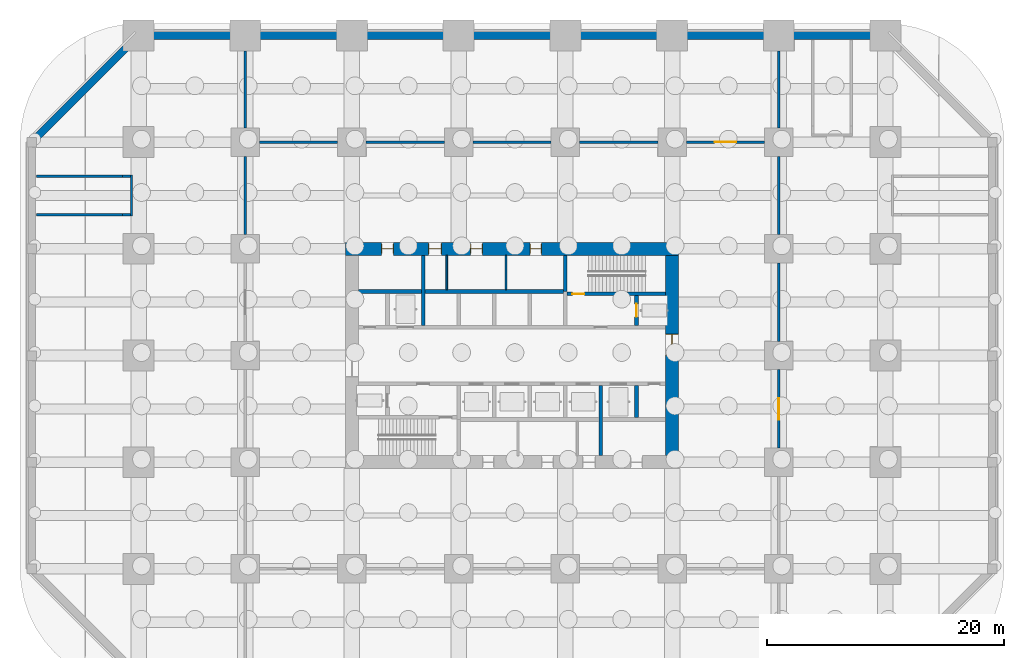
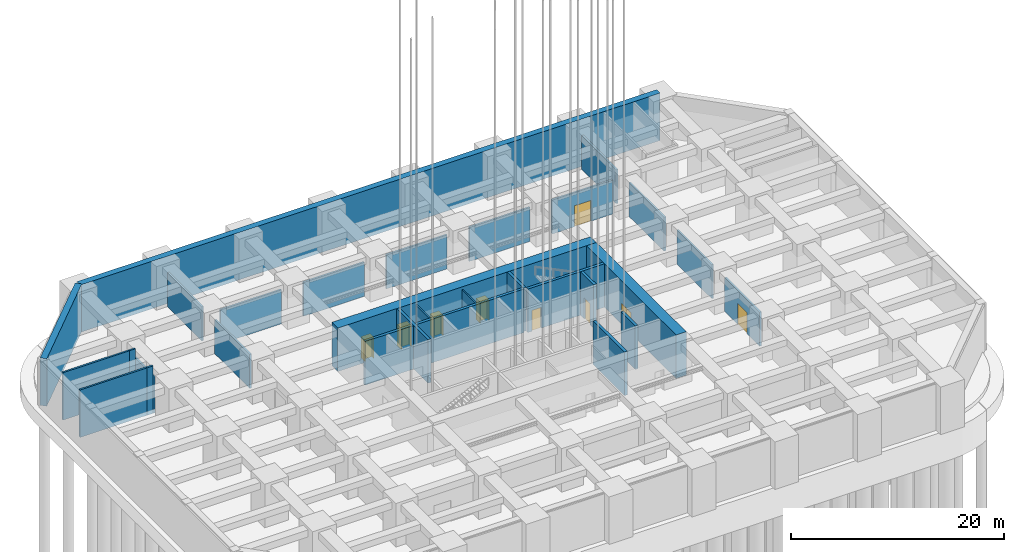
# One storey, part 5 of 24: 29 walls, 9 doors, 9 openings.
"""IFC4 building model written with IfcOpenShell, lengths in metres."""

from ifc_helpers import new_model, si_unit, direction, frame, frame_2d, origin, place, context, subcontext, project, spatial, rectangle, extrude, material, layer, layer_set, type_object, element, fill, save


model = new_model("IFC4")

# Units and contexts
model_context = context("Model", 3, precision=1e-05, world=origin(), true_north=direction((0.0, 1.0)))
body_context = subcontext(model_context, "Body", "Model", "MODEL_VIEW")
ifc_project = project(units=[si_unit("LENGTHUNIT", "METRE"), si_unit("AREAUNIT", "SQUARE_METRE"), si_unit("VOLUMEUNIT", "CUBIC_METRE"), si_unit("PLANEANGLEUNIT", "RADIAN"), si_unit("MASSUNIT", "GRAM", prefix="KILO")], contexts=[model_context])

# Site, building, storey
site_placement = place(None, origin())
site = spatial("IfcSite", under=ifc_project, at=site_placement, CompositionType="ELEMENT")
building_placement = place(site_placement, origin())
building = spatial("IfcBuilding", under=site, at=building_placement, Name="Zorevar Civic Tower", CompositionType="ELEMENT")
storey_placement = place(building_placement, frame((0.0, 0.0, -5.0)))
storey = spatial("IfcBuildingStorey", under=building, at=storey_placement, Name="B1", CompositionType="ELEMENT", Elevation=-5.0)

# Walls
ifc_material_1 = material(Name="Concrete blockwork", Category="masonry")
ifc_layer_1 = layer(ifc_material_1, 0.199951171875)
ifc_layer_set_1 = layer_set([ifc_layer_1], Name="Blockwork wall 200")
wall_type_1 = type_object("IfcWallType", Name="Blockwork wall 200", PredefinedType="SOLIDWALL", material=ifc_layer_set_1)
wall_1_placement = place(storey_placement, frame((9.0, 37.199951171875, 0.0), z_axis=(0.0, 0.0, 1.0), x_axis=(0.0, 1.0, 0.0)))
element("IfcWall", 1, at=wall_1_placement, inside=storey, type_object=wall_type_1, Name="Blockwork wall 200 B1", PredefinedType="SOLIDWALL", context=body_context, shape_type="SweptSolid", body=[
    extrude(rectangle(XDim=6.60009765625, YDim=0.199951171875, at=frame_2d((3.300048828125, 0.0))), origin(), (0.0, 0.0, 1.0), 3.89990234375),
])
wall_2_placement = place(storey_placement, frame((9.0, 46.199951171875, 0.0), z_axis=(0.0, 0.0, 1.0), x_axis=(0.0, 1.0, 0.0)))
element("IfcWall", 2, at=wall_2_placement, inside=storey, type_object=wall_type_1, Name="Blockwork wall 200 B1", PredefinedType="SOLIDWALL", context=body_context, shape_type="SweptSolid", body=[
    extrude(rectangle(XDim=6.5, YDim=0.199951171875, at=frame_2d((3.25, 0.0))), origin(), (0.0, 0.0, 1.0), 3.89990234375),
])

# Wall, opening, door
wall_3_placement = place(storey_placement, frame((54.0, 19.199951171875, 0.0), z_axis=(0.0, 0.0, 1.0), x_axis=(0.0, 1.0, 0.0)))
wall_3 = element("IfcWall", 3, at=wall_3_placement, inside=storey, type_object=wall_type_1, Name="Blockwork wall 200 B1", PredefinedType="SOLIDWALL", context=body_context, shape_type="SweptSolid", body=[
    extrude(rectangle(XDim=6.60009765625, YDim=0.199951171875, at=frame_2d((3.300048828125, 0.0))), origin(), (0.0, 0.0, 1.0), 3.89990234375),
])
opening_1_placement = place(wall_3_placement, frame((2.39990234375, 0.0, 0.0)))
opening_1 = element("IfcOpeningElement", 4, at=opening_1_placement, cuts=wall_3, Name="Opening B1.18", PredefinedType="OPENING", context=body_context, shape_type="SweptSolid", body=[
    extrude(rectangle(XDim=1.800048828125, YDim=2.39990234375, at=frame_2d((0.89990234375, 1.199951171875))), frame((0.0, 0.10986328125, 0.0), z_axis=(0.0, -1.0, 0.0), x_axis=(1.0, 0.0, 0.0)), (0.0, 0.0, 1.0), 0.219970703125),
])
ifc_material_2 = material(Name="Steel door set", Category="steel")
door_type_1 = type_object("IfcDoorType", Name="Door D2 1800x2400", OperationType="DOUBLE_DOOR_SINGLE_SWING", PredefinedType="DOOR", material=ifc_material_2)
door_1_placement = place(opening_1_placement, origin())
door_1 = element("IfcDoor", 5, at=door_1_placement, inside=storey, type_object=door_type_1, Name="Door B1 D2", OperationType="DOUBLE_DOOR_SINGLE_SWING", OverallHeight=2.39990234375, OverallWidth=1.800048828125, PredefinedType="DOOR", context=body_context, shape_type="SweptSolid", body=[
    extrude(rectangle(XDim=1.800048828125, YDim=2.39990234375, at=frame_2d((0.89990234375, 1.199951171875))), frame((0.0, 0.02490234375, 0.0), z_axis=(0.0, -1.0, 0.0), x_axis=(1.0, 0.0, 0.0)), (0.0, 0.0, 1.0), 0.050048828125),
])
fill(opening_1, door_1)

# Walls
for number, where, z_axis, x_axis, name in (
    (6, (54.0, 28.199951171875, 0.0), (0.0, 0.0, 1.0), (0.0, 1.0, 0.0), "Blockwork wall 200 B1"),
    (7, (54.0, 37.199951171875, 0.0), (0.0, 0.0, 1.0), (0.0, 1.0, 0.0), "Blockwork wall 200 B1"),
):
    element("IfcWall", number, at=place(storey_placement, frame(where, z_axis=z_axis, x_axis=x_axis)), inside=storey, type_object=wall_type_1, Name=name, PredefinedType="SOLIDWALL", context=body_context, shape_type="SweptSolid", body=[
        extrude(rectangle(XDim=6.60009765625, YDim=0.199951171875, at=frame_2d((3.300048828125, 0.0))), origin(), (0.0, 0.0, 1.0), 3.89990234375),
    ])
wall_4_placement = place(storey_placement, frame((54.0, 46.199951171875, 0.0), z_axis=(0.0, 0.0, 1.0), x_axis=(0.0, 1.0, 0.0)))
element("IfcWall", 8, at=wall_4_placement, inside=storey, type_object=wall_type_1, Name="Blockwork wall 200 B1", PredefinedType="SOLIDWALL", context=body_context, shape_type="SweptSolid", body=[
    extrude(rectangle(XDim=6.5, YDim=0.199951171875, at=frame_2d((3.25, 0.0))), origin(), (0.0, 0.0, 1.0), 3.89990234375),
])
for number, where, z_axis, x_axis, name in (
    (9, (10.199951171875, 45.0, 0.0), (0.0, 0.0, 1.0), (1.0, 0.0, 0.0), "Blockwork wall 200 B1"),
    (10, (19.199951171875, 45.0, 0.0), (0.0, 0.0, 1.0), (1.0, 0.0, 0.0), "Blockwork wall 200 B1"),
    (11, (28.199951171875, 45.0, 0.0), (0.0, 0.0, 1.0), (1.0, 0.0, 0.0), "Blockwork wall 200 B1"),
    (12, (37.199951171875, 45.0, 0.0), (0.0, 0.0, 1.0), (1.0, 0.0, 0.0), "Blockwork wall 200 B1"),
):
    element("IfcWall", number, at=place(storey_placement, frame(where, z_axis=z_axis, x_axis=x_axis)), inside=storey, type_object=wall_type_1, Name=name, PredefinedType="SOLIDWALL", context=body_context, shape_type="SweptSolid", body=[
        extrude(rectangle(XDim=6.60009765625, YDim=0.199951171875, at=frame_2d((3.300048828125, 0.0))), origin(), (0.0, 0.0, 1.0), 3.89990234375),
    ])

# Wall, opening, door
wall_5_placement = place(storey_placement, frame((46.199951171875, 45.0, 0.0), z_axis=(0.0, 0.0, 1.0), x_axis=(1.0, 0.0, 0.0)))
wall_5 = element("IfcWall", 13, at=wall_5_placement, inside=storey, type_object=wall_type_1, Name="Blockwork wall 200 B1", PredefinedType="SOLIDWALL", context=body_context, shape_type="SweptSolid", body=[
    extrude(rectangle(XDim=6.60009765625, YDim=0.199951171875, at=frame_2d((3.300048828125, 0.0))), origin(), (0.0, 0.0, 1.0), 3.89990234375),
])
opening_2_placement = place(wall_5_placement, frame((2.39990234375, 0.0, 0.0)))
opening_2 = element("IfcOpeningElement", 14, at=opening_2_placement, cuts=wall_5, Name="Opening B1.20", PredefinedType="OPENING", context=body_context, shape_type="SweptSolid", body=[
    extrude(rectangle(XDim=1.800048828125, YDim=2.39990234375, at=frame_2d((0.89990234375, 1.199951171875))), frame((0.0, 0.10986328125, 0.0), z_axis=(0.0, -1.0, 0.0), x_axis=(1.0, 0.0, 0.0)), (0.0, 0.0, 1.0), 0.219970703125),
])
door_2_placement = place(opening_2_placement, origin())
door_2 = element("IfcDoor", 15, at=door_2_placement, inside=storey, type_object=door_type_1, Name="Door B1 D4", OperationType="DOUBLE_DOOR_SINGLE_SWING", OverallHeight=2.39990234375, OverallWidth=1.800048828125, PredefinedType="DOOR", context=body_context, shape_type="SweptSolid", body=[
    extrude(rectangle(XDim=1.800048828125, YDim=2.39990234375, at=frame_2d((0.89990234375, 1.199951171875))), frame((0.0, 0.02490234375, 0.0), z_axis=(0.0, -1.0, 0.0), x_axis=(1.0, 0.0, 0.0)), (0.0, 0.0, 1.0), 0.050048828125),
])
fill(opening_2, door_2)

# Walls
for number, where, z_axis, x_axis, name in (
    (16, (-1.35009765625, 38.875, -0.449951171875), (0.0, 0.0, 1.0), (1.0, 0.0, 0.0), "Escape stair PS1 enclosure B1"),
    (17, (-1.35009765625, 42.125, -0.449951171875), (0.0, 0.0, 1.0), (1.0, 0.0, 0.0), "Escape stair PS1 enclosure B1"),
):
    element("IfcWall", number, at=place(storey_placement, frame(where, z_axis=z_axis, x_axis=x_axis)), inside=storey, type_object=wall_type_1, Name=name, PredefinedType="SOLIDWALL", context=body_context, shape_type="SweptSolid", body=[
        extrude(rectangle(XDim=0.650146484375, YDim=0.199951171875, at=frame_2d((0.3251953125, 0.0))), origin(), (0.0, 0.0, 1.0), 5.449951171875),
    ])
wall_6_placement = place(storey_placement, frame((-0.60009765625, 38.77490234375, -0.449951171875), z_axis=(0.0, 0.0, 1.0), x_axis=(0.0, 1.0, 0.0)))
element("IfcWall", 18, at=wall_6_placement, inside=storey, type_object=wall_type_1, Name="Escape stair PS1 enclosure B1", PredefinedType="SOLIDWALL", context=body_context, shape_type="SweptSolid", body=[
    extrude(rectangle(XDim=3.4501953125, YDim=0.199951171875, at=frame_2d((1.72509765625, 0.0))), origin(), (0.0, 0.0, 1.0), 4.349853515625),
])

# Wall, openings, doors
ifc_material_3 = material(Name="Concrete C50/60", Category="concrete")
ifc_layer_2 = layer(ifc_material_3, 1.10009765625)
ifc_layer_set_2 = layer_set([ifc_layer_2], Name="Core wall 1100")
wall_type_2 = type_object("IfcWallType", Name="Core wall 1100", PredefinedType="SHEAR", material=ifc_layer_set_2)
wall_7_placement = place(storey_placement, frame((45.550048828125, 36.0, 0.0), z_axis=(0.0, 0.0, 1.0), x_axis=(-1.0, 0.0, 0.0)))
wall_7 = element("IfcWall", 19, at=wall_7_placement, inside=storey, type_object=wall_type_2, Name="Core wall N B1", PredefinedType="SHEAR", context=body_context, shape_type="SweptSolid", body=[
    extrude(rectangle(XDim=28.10009765625, YDim=1.10009765625, at=frame_2d((14.050048828125, 0.0))), origin(), (0.0, 0.0, 1.0), 5.0),
])
opening_3_placement = place(wall_7_placement, frame((11.550048828125, 0.0, 0.0)))
opening_3 = element("IfcOpeningElement", 20, at=opening_3_placement, cuts=wall_7, Name="Opening B1.07", PredefinedType="OPENING", context=body_context, shape_type="SweptSolid", body=[
    extrude(rectangle(XDim=1.0, YDim=2.39990234375, at=frame_2d((0.5, 1.199951171875))), frame((0.0, 0.56005859375, 0.0), z_axis=(0.0, -1.0, 0.0), x_axis=(1.0, 0.0, 0.0)), (0.0, 0.0, 1.0), 1.1201171875),
])
opening_4_placement = place(wall_7_placement, frame((16.550048828125, 0.0, 0.0)))
opening_4 = element("IfcOpeningElement", 21, at=opening_4_placement, cuts=wall_7, Name="Opening B1.08", PredefinedType="OPENING", context=body_context, shape_type="SweptSolid", body=[
    extrude(rectangle(XDim=1.0, YDim=2.39990234375, at=frame_2d((0.5, 1.199951171875))), frame((0.0, 0.56005859375, 0.0), z_axis=(0.0, -1.0, 0.0), x_axis=(1.0, 0.0, 0.0)), (0.0, 0.0, 1.0), 1.1201171875),
])
opening_5_placement = place(wall_7_placement, frame((20.0, 0.0, 0.0)))
opening_5 = element("IfcOpeningElement", 22, at=opening_5_placement, cuts=wall_7, Name="Opening B1.09", PredefinedType="OPENING", context=body_context, shape_type="SweptSolid", body=[
    extrude(rectangle(XDim=1.10009765625, YDim=2.39990234375, at=frame_2d((0.550048828125, 1.199951171875))), frame((0.0, 0.56005859375, 0.0), z_axis=(0.0, -1.0, 0.0), x_axis=(1.0, 0.0, 0.0)), (0.0, 0.0, 1.0), 1.1201171875),
])
opening_6_placement = place(wall_7_placement, frame((24.050048828125, 0.0, 0.0)))
opening_6 = element("IfcOpeningElement", 23, at=opening_6_placement, cuts=wall_7, Name="Opening B1.10", PredefinedType="OPENING", context=body_context, shape_type="SweptSolid", body=[
    extrude(rectangle(XDim=1.0, YDim=2.39990234375, at=frame_2d((0.5, 1.199951171875))), frame((0.0, 0.56005859375, 0.0), z_axis=(0.0, -1.0, 0.0), x_axis=(1.0, 0.0, 0.0)), (0.0, 0.0, 1.0), 1.1201171875),
])
ifc_material_4 = material(Name="Timber door set", Category="wood")
door_type_2 = type_object("IfcDoorType", Name="Door D1 1000x2400", OperationType="SINGLE_SWING_LEFT", PredefinedType="DOOR", material=ifc_material_4)
door_3_placement = place(opening_3_placement, origin())
door_3 = element("IfcDoor", 24, at=door_3_placement, inside=storey, type_object=door_type_2, Name="Door B1 06", OperationType="SINGLE_SWING_RIGHT", OverallHeight=2.39990234375, OverallWidth=1.0, PredefinedType="DOOR", context=body_context, shape_type="SweptSolid", body=[
    extrude(rectangle(XDim=1.0, YDim=2.39990234375, at=frame_2d((0.5, 1.199951171875))), frame((0.0, 0.02490234375, 0.0), z_axis=(0.0, -1.0, 0.0), x_axis=(1.0, 0.0, 0.0)), (0.0, 0.0, 1.0), 0.050048828125),
    extrude(rectangle(XDim=0.04, YDim=2.39990234375, at=frame_2d((0.02001953125, 1.199951171875))), frame((0.0, 0.39990234375, 0.0), z_axis=(0.0, -1.0, 0.0), x_axis=(1.0, 0.0, 0.0)), (0.0, 0.0, 1.0), 0.800048828125),
    extrude(rectangle(XDim=0.04, YDim=2.39990234375, at=frame_2d((0.97998046875, 1.199951171875))), frame((0.0, 0.39990234375, 0.0), z_axis=(0.0, -1.0, 0.0), x_axis=(1.0, 0.0, 0.0)), (0.0, 0.0, 1.0), 0.800048828125),
    extrude(rectangle(XDim=1.0, YDim=0.04, at=frame_2d((0.5, 2.3798828125))), frame((0.0, 0.39990234375, 0.0), z_axis=(0.0, -1.0, 0.0), x_axis=(1.0, 0.0, 0.0)), (0.0, 0.0, 1.0), 0.800048828125),
])
fill(opening_3, door_3)
door_4_placement = place(opening_4_placement, origin())
door_4 = element("IfcDoor", 25, at=door_4_placement, inside=storey, type_object=door_type_2, Name="Door B1 07", OperationType="SINGLE_SWING_LEFT", OverallHeight=2.39990234375, OverallWidth=1.0, PredefinedType="DOOR", context=body_context, shape_type="SweptSolid", body=[
    extrude(rectangle(XDim=1.0, YDim=2.39990234375, at=frame_2d((0.5, 1.199951171875))), frame((0.0, 0.02490234375, 0.0), z_axis=(0.0, -1.0, 0.0), x_axis=(1.0, 0.0, 0.0)), (0.0, 0.0, 1.0), 0.050048828125),
    extrude(rectangle(XDim=0.04, YDim=2.39990234375, at=frame_2d((0.02001953125, 1.199951171875))), frame((0.0, 0.39990234375, 0.0), z_axis=(0.0, -1.0, 0.0), x_axis=(1.0, 0.0, 0.0)), (0.0, 0.0, 1.0), 0.800048828125),
    extrude(rectangle(XDim=0.04, YDim=2.39990234375, at=frame_2d((0.97998046875, 1.199951171875))), frame((0.0, 0.39990234375, 0.0), z_axis=(0.0, -1.0, 0.0), x_axis=(1.0, 0.0, 0.0)), (0.0, 0.0, 1.0), 0.800048828125),
    extrude(rectangle(XDim=1.0, YDim=0.04, at=frame_2d((0.5, 2.3798828125))), frame((0.0, 0.39990234375, 0.0), z_axis=(0.0, -1.0, 0.0), x_axis=(1.0, 0.0, 0.0)), (0.0, 0.0, 1.0), 0.800048828125),
])
fill(opening_4, door_4)
door_5_placement = place(opening_6_placement, origin())
door_5 = element("IfcDoor", 26, at=door_5_placement, inside=storey, type_object=door_type_2, Name="Door B1 09", OperationType="SINGLE_SWING_LEFT", OverallHeight=2.39990234375, OverallWidth=1.0, PredefinedType="DOOR", context=body_context, shape_type="SweptSolid", body=[
    extrude(rectangle(XDim=1.0, YDim=2.39990234375, at=frame_2d((0.5, 1.199951171875))), frame((0.0, 0.02490234375, 0.0), z_axis=(0.0, -1.0, 0.0), x_axis=(1.0, 0.0, 0.0)), (0.0, 0.0, 1.0), 0.050048828125),
    extrude(rectangle(XDim=0.04, YDim=2.39990234375, at=frame_2d((0.02001953125, 1.199951171875))), frame((0.0, 0.39990234375, 0.0), z_axis=(0.0, -1.0, 0.0), x_axis=(1.0, 0.0, 0.0)), (0.0, 0.0, 1.0), 0.800048828125),
    extrude(rectangle(XDim=0.04, YDim=2.39990234375, at=frame_2d((0.97998046875, 1.199951171875))), frame((0.0, 0.39990234375, 0.0), z_axis=(0.0, -1.0, 0.0), x_axis=(1.0, 0.0, 0.0)), (0.0, 0.0, 1.0), 0.800048828125),
    extrude(rectangle(XDim=1.0, YDim=0.04, at=frame_2d((0.5, 2.3798828125))), frame((0.0, 0.39990234375, 0.0), z_axis=(0.0, -1.0, 0.0), x_axis=(1.0, 0.0, 0.0)), (0.0, 0.0, 1.0), 0.800048828125),
])
fill(opening_6, door_5)
ifc_material_5 = material(Name="Timber door set", Category="wood")
door_type_3 = type_object("IfcDoorType", Name="Door D5 1100x2400", OperationType="SINGLE_SWING_LEFT", PredefinedType="DOOR", material=ifc_material_5)
door_6_placement = place(opening_5_placement, origin())
door_6 = element("IfcDoor", 27, at=door_6_placement, inside=storey, type_object=door_type_3, Name="Door B1 08", OperationType="SINGLE_SWING_LEFT", OverallHeight=2.39990234375, OverallWidth=1.10009765625, PredefinedType="DOOR", context=body_context, shape_type="SweptSolid", body=[
    extrude(rectangle(XDim=1.10009765625, YDim=2.39990234375, at=frame_2d((0.550048828125, 1.199951171875))), frame((0.0, 0.02490234375, 0.0), z_axis=(0.0, -1.0, 0.0), x_axis=(1.0, 0.0, 0.0)), (0.0, 0.0, 1.0), 0.050048828125),
    extrude(rectangle(XDim=0.04, YDim=2.39990234375, at=frame_2d((0.02001953125, 1.199951171875))), frame((0.0, 0.43994140625, 0.0), z_axis=(0.0, -1.0, 0.0), x_axis=(1.0, 0.0, 0.0)), (0.0, 0.0, 1.0), 0.880126953125),
    extrude(rectangle(XDim=0.04, YDim=2.39990234375, at=frame_2d((1.080078125, 1.199951171875))), frame((0.0, 0.43994140625, 0.0), z_axis=(0.0, -1.0, 0.0), x_axis=(1.0, 0.0, 0.0)), (0.0, 0.0, 1.0), 0.880126953125),
    extrude(rectangle(XDim=1.10009765625, YDim=0.04, at=frame_2d((0.550048828125, 2.3798828125))), frame((0.0, 0.43994140625, 0.0), z_axis=(0.0, -1.0, 0.0), x_axis=(1.0, 0.0, 0.0)), (0.0, 0.0, 1.0), 0.880126953125),
])
fill(opening_5, door_6)

# Wall, opening, door
wall_8_placement = place(storey_placement, frame((45.0, 18.550048828125, 0.0), z_axis=(0.0, 0.0, 1.0), x_axis=(0.0, 1.0, 0.0)))
wall_8 = element("IfcWall", 28, at=wall_8_placement, inside=storey, type_object=wall_type_2, Name="Core wall E B1", PredefinedType="SHEAR", context=body_context, shape_type="SweptSolid", body=[
    extrude(rectangle(XDim=16.89990234375, YDim=1.10009765625, at=frame_2d((8.449951171875, 0.0))), origin(), (0.0, 0.0, 1.0), 5.0),
])
opening_7_placement = place(wall_8_placement, frame((8.449951171875, 0.0, 0.0)))
opening_7 = element("IfcOpeningElement", 29, at=opening_7_placement, cuts=wall_8, Name="Opening B1.02", PredefinedType="OPENING", context=body_context, shape_type="SweptSolid", body=[
    extrude(rectangle(XDim=1.800048828125, YDim=2.39990234375, at=frame_2d((0.89990234375, 1.199951171875))), frame((0.0, 0.56005859375, 0.0), z_axis=(0.0, -1.0, 0.0), x_axis=(1.0, 0.0, 0.0)), (0.0, 0.0, 1.0), 1.1201171875),
])
ifc_material_6 = material(Name="Steel door set", Category="steel")
door_type_4 = type_object("IfcDoorType", Name="Fire door FD2 1800x2400", OperationType="DOUBLE_DOOR_DOUBLE_SWING", PredefinedType="DOOR", material=ifc_material_6)
door_7_placement = place(opening_7_placement, origin())
door_7 = element("IfcDoor", 30, at=door_7_placement, inside=storey, type_object=door_type_4, Name="Door B1 01", OperationType="DOUBLE_DOOR_DOUBLE_SWING", OverallHeight=2.39990234375, OverallWidth=1.800048828125, PredefinedType="DOOR", context=body_context, shape_type="SweptSolid", body=[
    extrude(rectangle(XDim=1.800048828125, YDim=2.39990234375, at=frame_2d((0.89990234375, 1.199951171875))), frame((0.0, 0.030029296875, 0.0), z_axis=(0.0, -1.0, 0.0), x_axis=(1.0, 0.0, 0.0)), (0.0, 0.0, 1.0), 0.06005859375),
    extrude(rectangle(XDim=0.04, YDim=2.39990234375, at=frame_2d((0.02001953125, 1.199951171875))), frame((0.0, 0.5498046875, 0.0), z_axis=(0.0, -1.0, 0.0), x_axis=(1.0, 0.0, 0.0)), (0.0, 0.0, 1.0), 1.099609375),
    extrude(rectangle(XDim=0.04, YDim=2.39990234375, at=frame_2d((1.780029296875, 1.199951171875))), frame((0.0, 0.5498046875, 0.0), z_axis=(0.0, -1.0, 0.0), x_axis=(1.0, 0.0, 0.0)), (0.0, 0.0, 1.0), 1.099609375),
    extrude(rectangle(XDim=1.800048828125, YDim=0.04, at=frame_2d((0.89990234375, 2.3798828125))), frame((0.0, 0.5498046875, 0.0), z_axis=(0.0, -1.0, 0.0), x_axis=(1.0, 0.0, 0.0)), (0.0, 0.0, 1.0), 1.099609375),
])
fill(opening_7, door_7)

ifc_material_7 = material(Name="Concrete C40/50", Category="concrete")
ifc_layer_3 = layer(ifc_material_7, 0.300048828125)
ifc_layer_set_3 = layer_set([ifc_layer_3], Name="Inner core wall 300")
wall_type_3 = type_object("IfcWallType", Name="Inner core wall 300", PredefinedType="SHEAR", material=ifc_layer_set_3)
wall_9_placement = place(storey_placement, frame((36.14990234375, 32.199951171875, 0.0), z_axis=(0.0, 0.0, 1.0), x_axis=(1.0, 0.0, 0.0)))
wall_9 = element("IfcWall", 31, at=wall_9_placement, inside=storey, type_object=wall_type_3, Name="Inner core wall N00 B1", PredefinedType="SHEAR", context=body_context, shape_type="SweptSolid", body=[
    extrude(rectangle(XDim=8.300048828125, YDim=0.300048828125, at=frame_2d((4.14990234375, 0.0))), origin(), (0.0, 0.0, 1.0), 5.0),
])
opening_8_placement = place(wall_9_placement, frame((0.449951171875, 0.0, 0.0)))
opening_8 = element("IfcOpeningElement", 32, at=opening_8_placement, cuts=wall_9, Name="Opening B1.12", PredefinedType="OPENING", context=body_context, shape_type="SweptSolid", body=[
    extrude(rectangle(XDim=1.0, YDim=2.39990234375, at=frame_2d((0.5, 1.199951171875))), frame((0.0, 0.159912109375, 0.0), z_axis=(0.0, -1.0, 0.0), x_axis=(1.0, 0.0, 0.0)), (0.0, 0.0, 1.0), 0.320068359375),
])
ifc_material_8 = material(Name="Steel door set", Category="steel")
door_type_5 = type_object("IfcDoorType", Name="Fire door FD1 1000x2400", OperationType="SINGLE_SWING_LEFT", PredefinedType="DOOR", material=ifc_material_8)
door_8_placement = place(opening_8_placement, origin())
door_8 = element("IfcDoor", 33, at=door_8_placement, inside=storey, type_object=door_type_5, Name="Door B1 11", OperationType="SINGLE_SWING_RIGHT", OverallHeight=2.39990234375, OverallWidth=1.0, PredefinedType="DOOR", context=body_context, shape_type="SweptSolid", body=[
    extrude(rectangle(XDim=1.0, YDim=2.39990234375, at=frame_2d((0.5, 1.199951171875))), frame((0.0, 0.030029296875, 0.0), z_axis=(0.0, -1.0, 0.0), x_axis=(1.0, 0.0, 0.0)), (0.0, 0.0, 1.0), 0.06005859375),
])
fill(opening_8, door_8)

# Wall
wall_10_placement = place(storey_placement, frame((36.0, 32.39990234375, 0.0), z_axis=(0.0, 0.0, 1.0), x_axis=(0.0, 1.0, 0.0)))
element("IfcWall", 34, at=wall_10_placement, inside=storey, type_object=wall_type_3, Name="Inner core wall N01 B1", PredefinedType="SHEAR", context=body_context, shape_type="SweptSolid", body=[
    extrude(rectangle(XDim=3.050048828125, YDim=0.300048828125, at=frame_2d((1.52490234375, 0.0))), origin(), (0.0, 0.0, 1.0), 5.0),
])

# Wall, opening, door
wall_11_placement = place(storey_placement, frame((42.0, 29.550048828125, 0.0), z_axis=(0.0, 0.0, 1.0), x_axis=(0.0, 1.0, 0.0)))
wall_11 = element("IfcWall", 35, at=wall_11_placement, inside=storey, type_object=wall_type_3, Name="Inner core wall N02 B1", PredefinedType="SHEAR", context=body_context, shape_type="SweptSolid", body=[
    extrude(rectangle(XDim=2.5, YDim=0.300048828125, at=frame_2d((1.25, 0.0))), origin(), (0.0, 0.0, 1.0), 5.0),
])
opening_9_placement = place(wall_11_placement, frame((0.699951171875, 0.0, 0.0)))
opening_9 = element("IfcOpeningElement", 36, at=opening_9_placement, cuts=wall_11, Name="Opening B1.FL2", PredefinedType="OPENING", context=body_context, shape_type="SweptSolid", body=[
    extrude(rectangle(XDim=1.10009765625, YDim=2.39990234375, at=frame_2d((0.550048828125, 1.199951171875))), frame((0.0, 0.159912109375, 0.0), z_axis=(0.0, -1.0, 0.0), x_axis=(1.0, 0.0, 0.0)), (0.0, 0.0, 1.0), 0.320068359375),
])
ifc_material_9 = material(Name="Steel door set", Category="steel")
door_type_6 = type_object("IfcDoorType", Name="Firefighting lift landing door LD3 1100x2400", OperationType="DOUBLE_DOOR_SLIDING", PredefinedType="DOOR", material=ifc_material_9)
door_9_placement = place(opening_9_placement, origin())
door_9 = element("IfcDoor", 37, at=door_9_placement, inside=storey, type_object=door_type_6, Name="Landing door FL2 B1", OperationType="DOUBLE_DOOR_SLIDING", OverallHeight=2.39990234375, OverallWidth=1.10009765625, PredefinedType="DOOR", context=body_context, shape_type="SweptSolid", body=[
    extrude(rectangle(XDim=1.10009765625, YDim=2.39990234375, at=frame_2d((0.550048828125, 1.199951171875))), frame((0.0, 0.030029296875, 0.0), z_axis=(0.0, -1.0, 0.0), x_axis=(1.0, 0.0, 0.0)), (0.0, 0.0, 1.0), 0.06005859375),
])
fill(opening_9, door_9)

# Walls
wall_12_placement = place(storey_placement, frame((18.550048828125, 32.39990234375, 0.0), z_axis=(0.0, 0.0, 1.0), x_axis=(1.0, 0.0, 0.0)))
element("IfcWall", 38, at=wall_12_placement, inside=storey, type_object=wall_type_3, Name="Inner core wall N04 B1", PredefinedType="SHEAR", context=body_context, shape_type="SweptSolid", body=[
    extrude(rectangle(XDim=17.300048828125, YDim=0.300048828125, at=frame_2d((8.64990234375, 0.0))), origin(), (0.0, 0.0, 1.0), 5.0),
])
for number, where, z_axis, x_axis, name in (
    (39, (39.0, 18.550048828125, 0.0), (0.0, 0.0, 1.0), (0.0, 1.0, 0.0), "Inner core wall S08 B1"),
    (40, (24.0, 29.550048828125, 0.0), (0.0, 0.0, 1.0), (0.0, 1.0, 0.0), "Inner core wall N08 B1"),
):
    element("IfcWall", number, at=place(storey_placement, frame(where, z_axis=z_axis, x_axis=x_axis)), inside=storey, type_object=wall_type_3, Name=name, PredefinedType="SHEAR", context=body_context, shape_type="SweptSolid", body=[
        extrude(rectangle(XDim=5.89990234375, YDim=0.300048828125, at=frame_2d((2.949951171875, 0.0))), origin(), (0.0, 0.0, 1.0), 5.0),
    ])
wall_13_placement = place(storey_placement, frame((42.0, 21.75, 0.0), z_axis=(0.0, 0.0, 1.0), x_axis=(0.0, 1.0, 0.0)))
element("IfcWall", 41, at=wall_13_placement, inside=storey, type_object=wall_type_3, Name="Inner core wall S09 B1", PredefinedType="SHEAR", context=body_context, shape_type="SweptSolid", body=[
    extrude(rectangle(XDim=2.699951171875, YDim=0.300048828125, at=frame_2d((1.35009765625, 0.0))), origin(), (0.0, 0.0, 1.0), 5.0),
])
ifc_material_10 = material(Name="Concrete C40/50", Category="concrete")
ifc_layer_4 = layer(ifc_material_10, 0.64990234375)
ifc_layer_set_4 = layer_set([ifc_layer_4], Name="Retaining wall 650")
wall_type_4 = type_object("IfcWallType", Name="Retaining wall 650", PredefinedType="SOLIDWALL", material=ifc_layer_set_4)
wall_14_placement = place(storey_placement, frame((63.0, 54.0, -0.449951171875), z_axis=(0.0, 0.0, 1.0), x_axis=(-1.0, 0.0, 0.0)))
element("IfcWall", 42, at=wall_14_placement, inside=storey, type_object=wall_type_4, Name="Retaining wall 3", PredefinedType="SOLIDWALL", context=body_context, shape_type="SweptSolid", body=[
    extrude(rectangle(XDim=63.0, YDim=0.64990234375, at=frame_2d((31.5, 0.0))), origin(), (0.0, 0.0, 1.0), 5.449951171875),
])
wall_15_placement = place(storey_placement, frame((0.0, 54.0, -0.449951171875), z_axis=(0.0, 0.0, 1.0), x_axis=(-0.707106781187, -0.707106781187, 0.0)))
element("IfcWall", 43, at=wall_15_placement, inside=storey, type_object=wall_type_4, Name="Retaining wall 7", PredefinedType="SOLIDWALL", context=body_context, shape_type="SweptSolid", body=[
    extrude(rectangle(XDim=12.72802734375, YDim=0.64990234375, at=frame_2d((6.364013671875, 0.0))), origin(), (0.0, 0.0, 1.0), 5.449951171875),
])
ifc_material_11 = material(Name="Concrete C30/37", Category="concrete")
ifc_layer_5 = layer(ifc_material_11, 0.199951171875)
ifc_layer_set_5 = layer_set([ifc_layer_5], Name="Stair enclosure wall 200")
wall_type_5 = type_object("IfcWallType", Name="Stair enclosure wall 200", PredefinedType="SOLIDWALL", material=ifc_layer_set_5)
for number, where, z_axis, x_axis, name in (
    (44, (-8.610107421875, 38.875, -0.449951171875), (0.0, 0.0, 1.0), (1.0, 0.0, 0.0), "Escape stair PS1 enclosure B1"),
    (45, (-8.610107421875, 42.125, -0.449951171875), (0.0, 0.0, 1.0), (1.0, 0.0, 0.0), "Escape stair PS1 enclosure B1"),
):
    element("IfcWall", number, at=place(storey_placement, frame(where, z_axis=z_axis, x_axis=x_axis)), inside=storey, type_object=wall_type_5, Name=name, PredefinedType="SOLIDWALL", context=body_context, shape_type="SweptSolid", body=[
        extrude(rectangle(XDim=7.260009765625, YDim=0.199951171875, at=frame_2d((3.6298828125, 0.0))), origin(), (0.0, 0.0, 1.0), 5.449951171875),
    ])
ifc_material_12 = material(Name="Gypsum board on steel studs, moisture resistant", Category="steel")
ifc_layer_6 = layer(ifc_material_12, 0.14990234375)
ifc_layer_set_6 = layer_set([ifc_layer_6], Name="WC partition 150")
wall_type_6 = type_object("IfcWallType", Name="WC partition 150", PredefinedType="PARTITIONING", material=ifc_layer_set_6)
for number, where, z_axis, x_axis, name in (
    (46, (31.0, 32.550048828125, 0.0), (0.0, 0.0, 1.0), (0.0, 1.0, 0.0), "WC partition B1"),
    (47, (26.0, 32.550048828125, 0.0), (0.0, 0.0, 1.0), (0.0, 1.0, 0.0), "WC partition B1"),
):
    element("IfcWall", number, at=place(storey_placement, frame(where, z_axis=z_axis, x_axis=x_axis)), inside=storey, type_object=wall_type_6, Name=name, PredefinedType="PARTITIONING", context=body_context, shape_type="SweptSolid", body=[
        extrude(rectangle(XDim=2.89990234375, YDim=0.14990234375, at=frame_2d((1.449951171875, 0.0))), origin(), (0.0, 0.0, 1.0), 4.699951171875),
    ])

save(model, "model.ifc")
